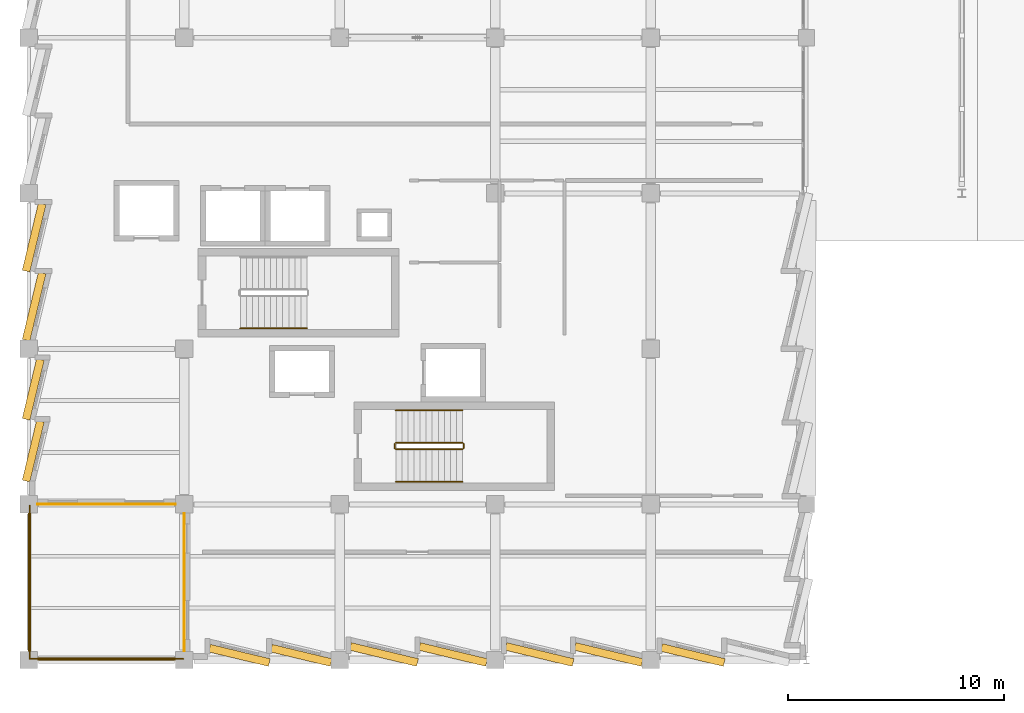
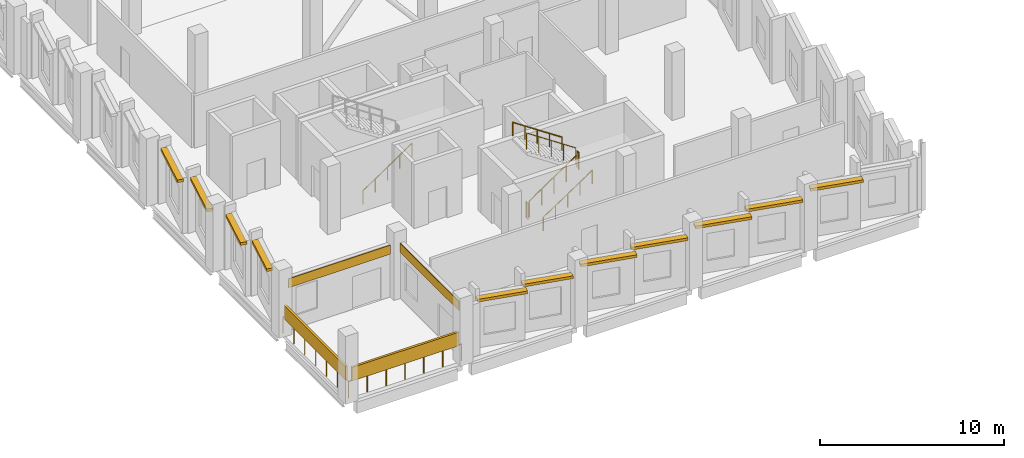
# One storey, part 105 of 123: 13 shading devices, 9 railings, 2 coverings.
"""IFC4 building model written with IfcOpenShell, lengths in metres."""

from ifc_helpers import new_model, si_unit, direction, frame, origin, origin_2d, place, context, subcontext, project, spatial, rectangle, circle, extrude, material, layer, layer_set, type_object, element, save


model = new_model("IFC4")

# Units and contexts
model_context = context("Model", 3, precision=1e-05, world=origin(), true_north=direction((0.0, 1.0)))
body_context = subcontext(model_context, "Body", "Model", "MODEL_VIEW")
ifc_project = project(units=[si_unit("LENGTHUNIT", "METRE"), si_unit("AREAUNIT", "SQUARE_METRE"), si_unit("VOLUMEUNIT", "CUBIC_METRE"), si_unit("PLANEANGLEUNIT", "RADIAN"), si_unit("MASSUNIT", "GRAM", prefix="KILO")], contexts=[model_context])

# Site, building, storey
site_placement = place(None, origin())
site = spatial("IfcSite", under=ifc_project, at=site_placement, CompositionType="ELEMENT")
building_placement = place(site_placement, origin())
building = spatial("IfcBuilding", under=site, at=building_placement, Name="Kalmorath City Hall", CompositionType="ELEMENT")
storey_placement = place(building_placement, frame((0.0, 0.0, 10.199951171875)))
storey = spatial("IfcBuildingStorey", under=building, at=storey_placement, Name="L02", CompositionType="ELEMENT", Elevation=10.199951171875)

# Coverings
ifc_material_1 = material(Name="Hardwood timber cladding", Category="wood")
ifc_layer_1 = layer(ifc_material_1, 0.044921875)
ifc_layer_set_1 = layer_set([ifc_layer_1], Name="Hardwood timber cladding")
covering_type = type_object("IfcCoveringType", Name="Hardwood recessed loggia wall cladding", PredefinedType="CLADDING", material=ifc_layer_set_1)
for number, where, z_axis, x_axis, name in (
    (1, (7.205078125, 3.60009765625, 3.075927734375), (0.0, 0.0, 1.0), (0.0, 1.0, 0.0), "L02 timber loggia lining #58"),
    (2, (3.60009765625, 7.205078125, 2.85107421875), (0.0, 0.0, 1.0), (-1.0, 0.0, 0.0), "L02 timber loggia lining #59"),
):
    element("IfcCovering", number, at=place(storey_placement, frame(where, z_axis=z_axis, x_axis=x_axis)), inside=storey, type_object=covering_type, Name=name, PredefinedType="CLADDING", context=body_context, shape_type="SweptSolid", body=[
        extrude(rectangle(XDim=6.39794921875, YDim=0.044921875, at=origin_2d()), origin(), (0.0, 0.0, 1.0), 0.60009765625),
    ])

# Shading devices
ifc_material_2 = material(Name="Bronze anodised storm louvre")
ifc_layer_2 = layer(ifc_material_2, 0.139892578125)
ifc_layer_set_2 = layer_set([ifc_layer_2], Name="Bronze anodised storm louvre")
shading_device_type_1 = type_object("IfcShadingDeviceType", Name="Hurricane bronze storm louvre bank", PredefinedType="JALOUSIE", material=ifc_layer_set_2)
for number, where, z_axis, x_axis, name in (
    (3, (3.60009765625, 0.050048828125, 1.10009765625), (0.0, 0.0, 1.0), (1.0, 0.0, 0.0), "L02 corner loggia storm louvre #543"),
    (4, (0.050048828125, 3.60009765625, 1.10009765625), (0.0, 0.0, 1.0), (0.0, 1.0, 0.0), "L02 corner loggia storm louvre #544"),
):
    element("IfcShadingDevice", number, at=place(storey_placement, frame(where, z_axis=z_axis, x_axis=x_axis)), inside=storey, type_object=shading_device_type_1, Name=name, PredefinedType="JALOUSIE", context=body_context, shape_type="SweptSolid", body=[
        extrude(rectangle(XDim=6.699951171875, YDim=0.139892578125, at=origin_2d()), origin(), (0.0, 0.0, 1.0), 0.89990234375),
    ])

# Railings
ifc_material_3 = material(Name="Stainless steel and laminated glass", Category="steel")
railing_type_1 = type_object("IfcRailingType", Name="Outdoor terrace balustrade 1120", PredefinedType="BALUSTRADE", material=ifc_material_3)
railing_1_placement = place(storey_placement, frame((0.050048828125, 0.050048828125, 0.0)))
element("IfcRailing", 5, at=railing_1_placement, inside=storey, type_object=railing_type_1, Name="L02 Southwest Corner Loggia balustrade #3", PredefinedType="BALUSTRADE", context=body_context, shape_type="SweptSolid", body=[
    extrude(circle(Radius=0.02392578125, at=origin_2d()), frame((0.0, 0.0, 1.09619140625), z_axis=(1.0, 0.0, 0.0), x_axis=(0.0, 1.0, 0.0)), (0.0, 0.0, 1.0), 7.099853515625),
    extrude(circle(Radius=0.02099609375, at=origin_2d()), origin(), (0.0, 0.0, 1.0), 1.072021484375),
    extrude(circle(Radius=0.02099609375, at=origin_2d()), frame((1.183349609375, 0.0, 0.0)), (0.0, 0.0, 1.0), 1.072021484375),
    extrude(circle(Radius=0.02099609375, at=origin_2d()), frame((2.36669921875, 0.0, 0.0)), (0.0, 0.0, 1.0), 1.072021484375),
    extrude(circle(Radius=0.02099609375, at=origin_2d()), frame((3.5498046875, 0.0, 0.0)), (0.0, 0.0, 1.0), 1.072021484375),
    extrude(circle(Radius=0.02099609375, at=origin_2d()), frame((4.733154296875, 0.0, 0.0)), (0.0, 0.0, 1.0), 1.072021484375),
    extrude(circle(Radius=0.02099609375, at=origin_2d()), frame((5.91650390625, 0.0, 0.0)), (0.0, 0.0, 1.0), 1.072021484375),
    extrude(circle(Radius=0.02099609375, at=origin_2d()), frame((7.099853515625, 0.0, 0.0)), (0.0, 0.0, 1.0), 1.072021484375),
])
railing_2_placement = place(storey_placement, frame((0.050048828125, 0.050048828125, 0.0)))
element("IfcRailing", 6, at=railing_2_placement, inside=storey, type_object=railing_type_1, Name="L02 Southwest Corner Loggia balustrade #4", PredefinedType="BALUSTRADE", context=body_context, shape_type="SweptSolid", body=[
    extrude(circle(Radius=0.02392578125, at=origin_2d()), frame((0.0, 0.0, 1.09619140625), z_axis=(0.0, 1.0, 0.0), x_axis=(-1.0, 0.0, 0.0)), (0.0, 0.0, 1.0), 7.099853515625),
    extrude(circle(Radius=0.02099609375, at=origin_2d()), origin(), (0.0, 0.0, 1.0), 1.072021484375),
    extrude(circle(Radius=0.02099609375, at=origin_2d()), frame((0.0, 1.183349609375, 0.0)), (0.0, 0.0, 1.0), 1.072021484375),
    extrude(circle(Radius=0.02099609375, at=origin_2d()), frame((0.0, 2.36669921875, 0.0)), (0.0, 0.0, 1.0), 1.072021484375),
    extrude(circle(Radius=0.02099609375, at=origin_2d()), frame((0.0, 3.5498046875, 0.0)), (0.0, 0.0, 1.0), 1.072021484375),
    extrude(circle(Radius=0.02099609375, at=origin_2d()), frame((0.0, 4.733154296875, 0.0)), (0.0, 0.0, 1.0), 1.072021484375),
    extrude(circle(Radius=0.02099609375, at=origin_2d()), frame((0.0, 5.91650390625, 0.0)), (0.0, 0.0, 1.0), 1.072021484375),
    extrude(circle(Radius=0.02099609375, at=origin_2d()), frame((0.0, 7.099853515625, 0.0)), (0.0, 0.0, 1.0), 1.072021484375),
])

# Shading devices
ifc_material_4 = material(Name="Precast concrete C40/50", Category="concrete")
ifc_layer_3 = layer(ifc_material_4, 0.179931640625)
ifc_layer_set_3 = layer_set([ifc_layer_3], Name="Precast concrete C40/50")
shading_device_type_2 = type_object("IfcShadingDeviceType", Name="Precast sawtooth brow sunshade 350", PredefinedType="USERDEFINED", material=ifc_layer_set_3)
for number, where, z_axis, x_axis, name in (
    (7, (0.212158203125, 9.664306640625, 3.48583984375), (0.0, 0.0, 1.0), (0.233445363856, 0.972369920398, 0.0), "L02 precast sawtooth hood #187"),
    (8, (0.212158203125, 12.523193359375, 3.48583984375), (0.0, 0.0, 1.0), (0.233445363856, 0.972369920398, 0.0), "L02 precast sawtooth hood #188"),
):
    element("IfcShadingDevice", number, at=place(storey_placement, frame(where, z_axis=z_axis, x_axis=x_axis)), inside=storey, type_object=shading_device_type_2, Name=name, ObjectType="SUNSHADE", PredefinedType="USERDEFINED", context=body_context, shape_type="SweptSolid", body=[
        extrude(rectangle(XDim=2.84521484375, YDim=0.360107421875, at=origin_2d()), origin(), (0.0, 0.0, 1.0), 0.179931640625),
    ])
for number, where, z_axis, x_axis, name in (
    (9, (0.2529296875, 16.354248046875, 3.48583984375), (0.0, 0.0, 1.0), (0.233445363856, 0.972369920398, 0.0), "L02 precast sawtooth hood #189"),
    (10, (0.2529296875, 19.55322265625, 3.48583984375), (0.0, 0.0, 1.0), (0.233445363856, 0.972369920398, 0.0), "L02 precast sawtooth hood #190"),
):
    element("IfcShadingDevice", number, at=place(storey_placement, frame(where, z_axis=z_axis, x_axis=x_axis)), inside=storey, type_object=shading_device_type_2, Name=name, ObjectType="SUNSHADE", PredefinedType="USERDEFINED", context=body_context, shape_type="SweptSolid", body=[
        extrude(rectangle(XDim=3.19482421875, YDim=0.360107421875, at=origin_2d()), origin(), (0.0, 0.0, 1.0), 0.179931640625),
    ])
shading_device_placement = place(storey_placement, frame((30.744873046875, 0.228515625, 3.26123046875), z_axis=(0.0, 0.0, 1.0), x_axis=(-0.972365845859, 0.233462334877, 0.0)))
element("IfcShadingDevice", 11, at=shading_device_placement, inside=storey, type_object=shading_device_type_2, Name="L02 precast sawtooth hood #277", ObjectType="SUNSHADE", PredefinedType="USERDEFINED", context=body_context, shape_type="SweptSolid", body=[
    extrude(rectangle(XDim=2.985595703125, YDim=0.360107421875, at=origin_2d()), origin(), (0.0, 0.0, 1.0), 0.179931640625),
])
for number, where, z_axis, x_axis, name in (
    (12, (26.845703125, 0.2529296875, 3.26123046875), (0.0, 0.0, 1.0), (-0.972369920398, 0.233445363856, 0.0), "L02 precast sawtooth hood #278"),
    (13, (23.646728515625, 0.2529296875, 3.26123046875), (0.0, 0.0, 1.0), (-0.972369920398, 0.233445363856, 0.0), "L02 precast sawtooth hood #279"),
    (14, (19.645751953125, 0.2529296875, 3.26123046875), (0.0, 0.0, 1.0), (-0.972369920398, 0.233445363856, 0.0), "L02 precast sawtooth hood #280"),
    (15, (16.44677734375, 0.2529296875, 3.26123046875), (0.0, 0.0, 1.0), (-0.972369920398, 0.233445363856, 0.0), "L02 precast sawtooth hood #281"),
):
    element("IfcShadingDevice", number, at=place(storey_placement, frame(where, z_axis=z_axis, x_axis=x_axis)), inside=storey, type_object=shading_device_type_2, Name=name, ObjectType="SUNSHADE", PredefinedType="USERDEFINED", context=body_context, shape_type="SweptSolid", body=[
        extrude(rectangle(XDim=3.19482421875, YDim=0.360107421875, at=origin_2d()), origin(), (0.0, 0.0, 1.0), 0.179931640625),
    ])
for number, where, z_axis, x_axis, name in (
    (16, (12.61572265625, 0.212158203125, 3.26123046875), (0.0, 0.0, 1.0), (-0.972369920398, 0.233445363856, 0.0), "L02 precast sawtooth hood #282"),
    (17, (9.756591796875, 0.212158203125, 3.26123046875), (0.0, 0.0, 1.0), (-0.972369920398, 0.233445363856, 0.0), "L02 precast sawtooth hood #283"),
):
    element("IfcShadingDevice", number, at=place(storey_placement, frame(where, z_axis=z_axis, x_axis=x_axis)), inside=storey, type_object=shading_device_type_2, Name=name, ObjectType="SUNSHADE", PredefinedType="USERDEFINED", context=body_context, shape_type="SweptSolid", body=[
        extrude(rectangle(XDim=2.84521484375, YDim=0.360107421875, at=origin_2d()), origin(), (0.0, 0.0, 1.0), 0.179931640625),
    ])

# Railings
ifc_material_5 = material(Name="Painted steel guardrail", Category="steel")
railing_type_2 = type_object("IfcRailingType", Name="Protected stair guardrail 1100", PredefinedType="GUARDRAIL", material=ifc_material_5)
railing_3_placement = place(storey_placement, frame((17.0, 9.75, 0.1875)))
element("IfcRailing", 18, at=railing_3_placement, inside=storey, type_object=railing_type_2, Name="L02 ST-2 stair guard 1", PredefinedType="GUARDRAIL", context=body_context, shape_type="SweptSolid", body=[
    extrude(circle(Radius=0.02392578125, at=origin_2d()), frame((0.0, 0.0, 1.076171875), z_axis=(0.830913701846, 0.0, 0.55640131208), x_axis=(0.0, 1.0, 0.0)), (0.0, 0.0, 1.0), 3.706787109375),
    extrude(circle(Radius=0.02099609375, at=origin_2d()), origin(), (0.0, 0.0, 1.0), 1.052001953125),
    extrude(circle(Radius=0.02099609375, at=origin_2d()), frame((0.77001953125, 0.0, 0.515625)), (0.0, 0.0, 1.0), 1.052001953125),
    extrude(circle(Radius=0.02099609375, at=origin_2d()), frame((1.5400390625, 0.0, 1.03125)), (0.0, 0.0, 1.0), 1.052001953125),
    extrude(circle(Radius=0.02099609375, at=origin_2d()), frame((2.31005859375, 0.0, 1.546875)), (0.0, 0.0, 1.0), 1.052001953125),
    extrude(circle(Radius=0.02099609375, at=origin_2d()), frame((3.080078125, 0.0, 2.0625)), (0.0, 0.0, 1.0), 1.052001953125),
])
railing_4_placement = place(storey_placement, frame((20.1298828125, 9.800048828125, 2.25)))
element("IfcRailing", 19, at=railing_4_placement, inside=storey, type_object=railing_type_2, Name="L02 ST-2 stair guard 2", PredefinedType="GUARDRAIL", context=body_context, shape_type="SweptSolid", body=[
    extrude(circle(Radius=0.02392578125, at=origin_2d()), frame((0.0, 0.0, 1.076171875), z_axis=(0.0, 1.0, 0.0), x_axis=(-1.0, 0.0, 0.0)), (0.0, 0.0, 1.0), 0.199951171875),
    extrude(circle(Radius=0.02099609375, at=origin_2d()), origin(), (0.0, 0.0, 1.0), 1.052001953125),
    extrude(circle(Radius=0.02099609375, at=origin_2d()), frame((0.0, 0.199951171875, 0.0)), (0.0, 0.0, 1.0), 1.052001953125),
])
railing_5_placement = place(storey_placement, frame((20.080078125, 10.050048828125, 2.4375)))
element("IfcRailing", 20, at=railing_5_placement, inside=storey, type_object=railing_type_2, Name="L02 ST-2 stair guard 3", PredefinedType="GUARDRAIL", context=body_context, shape_type="SweptSolid", body=[
    extrude(circle(Radius=0.02392578125, at=origin_2d()), frame((0.0, 0.0, 1.076171875), z_axis=(-0.830913701846, 0.0, 0.55640131208), x_axis=(0.0, -1.0, 0.0)), (0.0, 0.0, 1.0), 3.706787109375),
    extrude(circle(Radius=0.02099609375, at=origin_2d()), origin(), (0.0, 0.0, 1.0), 1.052001953125),
    extrude(circle(Radius=0.02099609375, at=origin_2d()), frame((-0.77001953125, 0.0, 0.515625)), (0.0, 0.0, 1.0), 1.052001953125),
    extrude(circle(Radius=0.02099609375, at=origin_2d()), frame((-1.5400390625, 0.0, 1.03125)), (0.0, 0.0, 1.0), 1.052001953125),
    extrude(circle(Radius=0.02099609375, at=origin_2d()), frame((-2.31005859375, 0.0, 1.546875)), (0.0, 0.0, 1.0), 1.052001953125),
    extrude(circle(Radius=0.02099609375, at=origin_2d()), frame((-3.080078125, 0.0, 2.0625)), (0.0, 0.0, 1.0), 1.052001953125),
])
railing_6_placement = place(storey_placement, frame((16.949951171875, 9.800048828125, 0.0)))
element("IfcRailing", 21, at=railing_6_placement, inside=storey, type_object=railing_type_2, Name="L02 ST-2 stair guard 4", PredefinedType="GUARDRAIL", context=body_context, shape_type="SweptSolid", body=[
    extrude(circle(Radius=0.02392578125, at=origin_2d()), frame((0.0, 0.0, 1.076171875), z_axis=(0.0, 1.0, 0.0), x_axis=(-1.0, 0.0, 0.0)), (0.0, 0.0, 1.0), 0.199951171875),
    extrude(circle(Radius=0.02099609375, at=origin_2d()), origin(), (0.0, 0.0, 1.0), 1.052001953125),
    extrude(circle(Radius=0.02099609375, at=origin_2d()), frame((0.0, 0.199951171875, 0.0)), (0.0, 0.0, 1.0), 1.052001953125),
])
ifc_material_6 = material(Name="Brushed stainless steel handrail", Category="steel")
railing_type_3 = type_object("IfcRailingType", Name="Stair pitch handrail 900", PredefinedType="HANDRAIL", material=ifc_material_6)
railing_7_placement = place(storey_placement, frame((9.800048828125, 15.35009765625, 0.1875)))
element("IfcRailing", 22, at=railing_7_placement, inside=storey, type_object=railing_type_3, Name="L02 ST-1 stair handrail 1", PredefinedType="HANDRAIL", context=body_context, shape_type="SweptSolid", body=[
    extrude(circle(Radius=0.02392578125, at=origin_2d()), frame((0.0, 0.0, 0.8759765625), z_axis=(0.830893310487, 0.0, 0.556431762742), x_axis=(0.0, 1.0, 0.0)), (0.0, 0.0, 1.0), 3.70654296875),
    extrude(circle(Radius=0.02099609375, at=origin_2d()), origin(), (0.0, 0.0, 1.0), 0.851806640625),
    extrude(circle(Radius=0.02099609375, at=origin_2d()), frame((0.77001953125, 0.0, 0.515625)), (0.0, 0.0, 1.0), 0.851806640625),
    extrude(circle(Radius=0.02099609375, at=origin_2d()), frame((1.5400390625, 0.0, 1.03125)), (0.0, 0.0, 1.0), 0.851806640625),
    extrude(circle(Radius=0.02099609375, at=origin_2d()), frame((2.309814453125, 0.0, 1.546875)), (0.0, 0.0, 1.0), 0.851806640625),
    extrude(circle(Radius=0.02099609375, at=origin_2d()), frame((3.079833984375, 0.0, 2.0625)), (0.0, 0.0, 1.0), 0.851806640625),
])
railing_8_placement = place(storey_placement, frame((17.0, 8.25, 0.1875)))
element("IfcRailing", 23, at=railing_8_placement, inside=storey, type_object=railing_type_3, Name="L02 ST-2 stair handrail 1", PredefinedType="HANDRAIL", context=body_context, shape_type="SweptSolid", body=[
    extrude(circle(Radius=0.02392578125, at=origin_2d()), frame((0.0, 0.0, 0.8759765625), z_axis=(0.830913701846, 0.0, 0.55640131208), x_axis=(0.0, 1.0, 0.0)), (0.0, 0.0, 1.0), 3.706787109375),
    extrude(circle(Radius=0.02099609375, at=origin_2d()), origin(), (0.0, 0.0, 1.0), 0.851806640625),
    extrude(circle(Radius=0.02099609375, at=origin_2d()), frame((0.77001953125, 0.0, 0.515625)), (0.0, 0.0, 1.0), 0.851806640625),
    extrude(circle(Radius=0.02099609375, at=origin_2d()), frame((1.5400390625, 0.0, 1.03125)), (0.0, 0.0, 1.0), 0.851806640625),
    extrude(circle(Radius=0.02099609375, at=origin_2d()), frame((2.31005859375, 0.0, 1.546875)), (0.0, 0.0, 1.0), 0.851806640625),
    extrude(circle(Radius=0.02099609375, at=origin_2d()), frame((3.080078125, 0.0, 2.0625)), (0.0, 0.0, 1.0), 0.851806640625),
])
railing_9_placement = place(storey_placement, frame((20.080078125, 11.550048828125, 2.4375)))
element("IfcRailing", 24, at=railing_9_placement, inside=storey, type_object=railing_type_3, Name="L02 ST-2 stair handrail 2", PredefinedType="HANDRAIL", context=body_context, shape_type="SweptSolid", body=[
    extrude(circle(Radius=0.02392578125, at=origin_2d()), frame((0.0, 0.0, 0.8759765625), z_axis=(-0.830913701846, 0.0, 0.55640131208), x_axis=(0.0, -1.0, 0.0)), (0.0, 0.0, 1.0), 3.706787109375),
    extrude(circle(Radius=0.02099609375, at=origin_2d()), origin(), (0.0, 0.0, 1.0), 0.851806640625),
    extrude(circle(Radius=0.02099609375, at=origin_2d()), frame((-0.77001953125, 0.0, 0.515625)), (0.0, 0.0, 1.0), 0.851806640625),
    extrude(circle(Radius=0.02099609375, at=origin_2d()), frame((-1.5400390625, 0.0, 1.03125)), (0.0, 0.0, 1.0), 0.851806640625),
    extrude(circle(Radius=0.02099609375, at=origin_2d()), frame((-2.31005859375, 0.0, 1.546875)), (0.0, 0.0, 1.0), 0.851806640625),
    extrude(circle(Radius=0.02099609375, at=origin_2d()), frame((-3.080078125, 0.0, 2.0625)), (0.0, 0.0, 1.0), 0.851806640625),
])

save(model, "model.ifc")
